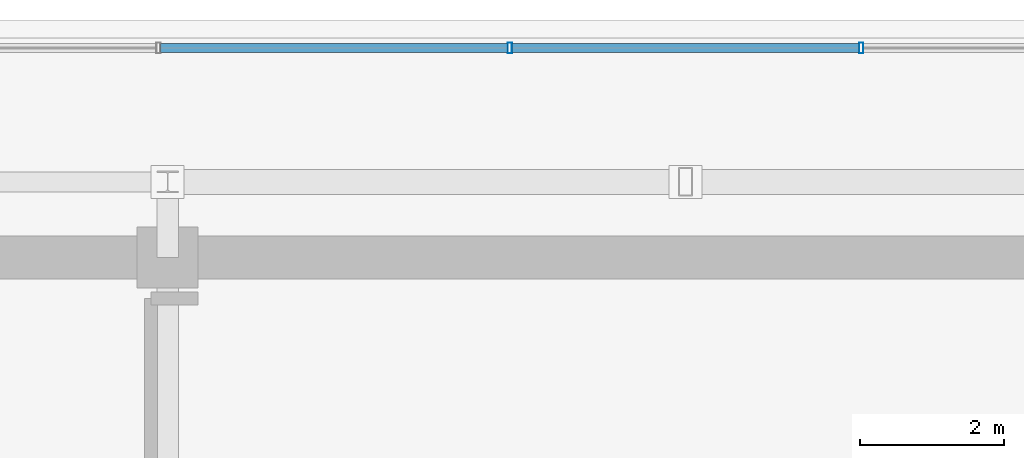
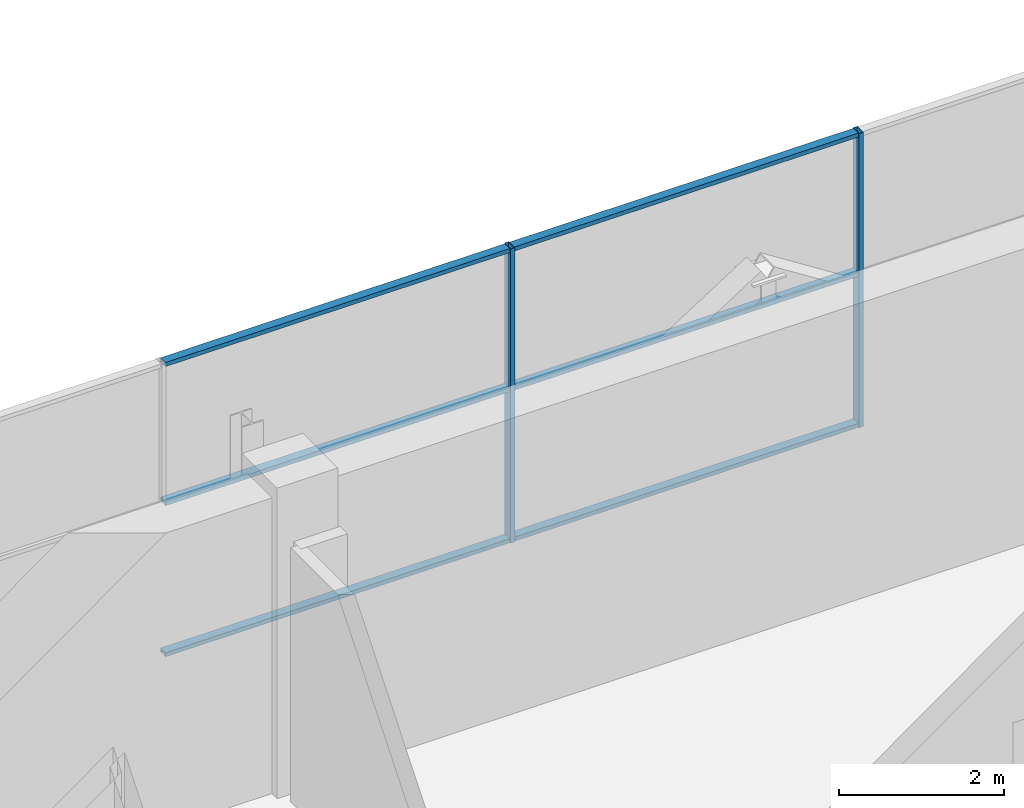
# One storey, part 20 of 28: 8 members, 1 element without a shape of its own.
"""IFC4 building model written with IfcOpenShell, lengths in metres."""

from ifc_helpers import new_model, si_unit, direction, frame, origin, origin_2d, place, context, subcontext, project, spatial, hollow_rectangle, extrude, source, transform, mapped, material, layer, layer_set, material_profile, profile_set, type_object, element, aggregate, save


model = new_model("IFC4")

# Units and contexts
model_context = context("Model", 3, precision=1e-05, world=origin(), true_north=direction((0.0, 1.0)))
body_context = subcontext(model_context, "Body", "Model", "MODEL_VIEW")
ifc_project = project(units=[si_unit("LENGTHUNIT", "METRE"), si_unit("AREAUNIT", "SQUARE_METRE"), si_unit("VOLUMEUNIT", "CUBIC_METRE"), si_unit("PLANEANGLEUNIT", "RADIAN"), si_unit("MASSUNIT", "GRAM", prefix="KILO")], contexts=[model_context])

# Site, building, storey
site_placement = place(None, origin())
site = spatial("IfcSite", under=ifc_project, at=site_placement, CompositionType="ELEMENT")
building_placement = place(site_placement, origin())
building = spatial("IfcBuilding", under=site, at=building_placement, Name="Zarnakvel Exchange Tower", CompositionType="ELEMENT")
storey_placement = place(building_placement, frame((0.0, 0.0, 276.199951171875)))
storey = spatial("IfcBuildingStorey", under=building, at=storey_placement, Name="Crown L78", CompositionType="ELEMENT", Elevation=276.199951171875)

# Curtain wall, members
ifc_material = material(Name="Architectural Bronze Anodised Aluminium", Category="aluminium")
ifc_layer = layer(ifc_material, 0.14990234375)
ifc_layer_set = layer_set([ifc_layer], Name="Architectural Bronze Anodised Aluminium")
curtain_wall_type = type_object("IfcCurtainWallType", Name="CW-07", PredefinedType="NOTDEFINED", material=ifc_layer_set)
curtain_wall_placement = place(storey_placement, origin())
curtain_wall = element("IfcCurtainWall", 1, at=curtain_wall_placement, inside=storey, type_object=curtain_wall_type, Name="Crown L78 Curtain Wall CW-Crown L78-N (CW-07)", PredefinedType="NOTDEFINED")
ifc_material_profile_1 = material_profile(ifc_material, hollow_rectangle(XDim=0.14990234375, YDim=0.06005859375, WallThickness=0.00390625, at=origin_2d()))
ifc_profile_set_1 = profile_set([ifc_material_profile_1], Name="Architectural Bronze Anodised Aluminium")
member_type_1 = type_object("IfcMemberType", Name="CWM-07", PredefinedType="MULLION", material=ifc_profile_set_1)
shared_shape_1 = source(origin(), body_context, "Body", "SweptSolid", [
    extrude(hollow_rectangle(XDim=0.14990234375, YDim=0.06005859375, WallThickness=0.00390625, at=origin_2d()), origin(), (0.0, 0.0, 1.0), 4.360107421875),
])
member_1_placement = place(storey_placement, frame((-2.44287109375, 16.409912109375, 0.0), z_axis=(0.0, 0.0, 1.0), x_axis=(0.0, 1.0, 0.0)))
member_1 = element("IfcMember", 2, at=member_1_placement, type_object=member_type_1, Name="CW-07 mullion 4", PredefinedType="MULLION", context=body_context, shape_type="MappedRepresentation", body=[
    mapped(shared_shape_1, transform((0.0, 0.0, 0.0), x_axis=(1.0, 0.0, 0.0), y_axis=(0.0, 1.0, 0.0), z_axis=(0.0, 0.0, 1.0), scale=1.0)),
])
member_2_placement = place(storey_placement, frame((2.44287109375, 16.409912109375, 0.0), z_axis=(0.0, 0.0, 1.0), x_axis=(0.0, 1.0, 0.0)))
member_2 = element("IfcMember", 3, at=member_2_placement, type_object=member_type_1, Name="CW-07 mullion 5", PredefinedType="MULLION", context=body_context, shape_type="MappedRepresentation", body=[
    mapped(shared_shape_1, transform((0.0, 0.0, 0.0), x_axis=(1.0, 0.0, 0.0), y_axis=(0.0, 1.0, 0.0), z_axis=(0.0, 0.0, 1.0), scale=1.0)),
])
ifc_material_profile_2 = material_profile(ifc_material, hollow_rectangle(XDim=0.1201171875, YDim=0.06005859375, WallThickness=0.00390625, at=origin_2d()))
ifc_profile_set_2 = profile_set([ifc_material_profile_2], Name="Architectural Bronze Anodised Aluminium")
member_type_2 = type_object("IfcMemberType", Name="CWT-07", PredefinedType="USERDEFINED", material=ifc_profile_set_2)
shared_shape_2 = source(origin(), body_context, "Body", "SweptSolid", [
    extrude(hollow_rectangle(XDim=0.1201171875, YDim=0.06005859375, WallThickness=0.00390625, at=origin_2d()), origin(), (0.0, 0.0, 1.0), 4.82568359375),
])
member_3_placement = place(storey_placement, frame((-7.298583984375, 16.409912109375, 0.030029296875), z_axis=(1.0, 0.0, 0.0), x_axis=(0.0, 1.0, 0.0)))
member_3 = element("IfcMember", 4, at=member_3_placement, type_object=member_type_2, Name="CW-07 transom 3.1", ObjectType="TRANSOM", PredefinedType="USERDEFINED", context=body_context, shape_type="MappedRepresentation", body=[
    mapped(shared_shape_2, transform((0.0, 0.0, 0.0), x_axis=(1.0, 0.0, 0.0), y_axis=(0.0, 1.0, 0.0), z_axis=(0.0, 0.0, 1.0), scale=1.0)),
])
member_4_placement = place(storey_placement, frame((-7.298583984375, 16.409912109375, 2.267333984375), z_axis=(1.0, 0.0, 0.0), x_axis=(0.0, 1.0, 0.0)))
member_4 = element("IfcMember", 5, at=member_4_placement, type_object=member_type_2, Name="CW-07 transom 3.2", ObjectType="TRANSOM", PredefinedType="USERDEFINED", context=body_context, shape_type="MappedRepresentation", body=[
    mapped(shared_shape_2, transform((0.0, 0.0, 0.0), x_axis=(1.0, 0.0, 0.0), y_axis=(0.0, 1.0, 0.0), z_axis=(0.0, 0.0, 1.0), scale=1.0)),
])
member_5_placement = place(storey_placement, frame((-7.298583984375, 16.409912109375, 4.330078125), z_axis=(1.0, 0.0, 0.0), x_axis=(0.0, 1.0, 0.0)))
member_5 = element("IfcMember", 6, at=member_5_placement, type_object=member_type_2, Name="CW-07 transom 3.3", ObjectType="TRANSOM", PredefinedType="USERDEFINED", context=body_context, shape_type="MappedRepresentation", body=[
    mapped(shared_shape_2, transform((0.0, 0.0, 0.0), x_axis=(1.0, 0.0, 0.0), y_axis=(0.0, 1.0, 0.0), z_axis=(0.0, 0.0, 1.0), scale=1.0)),
])
member_6_placement = place(storey_placement, frame((-2.412841796875, 16.409912109375, 0.030029296875), z_axis=(1.0, 0.0, 0.0), x_axis=(0.0, 1.0, 0.0)))
member_6 = element("IfcMember", 7, at=member_6_placement, type_object=member_type_2, Name="CW-07 transom 4.1", ObjectType="TRANSOM", PredefinedType="USERDEFINED", context=body_context, shape_type="MappedRepresentation", body=[
    mapped(shared_shape_2, transform((0.0, 0.0, 0.0), x_axis=(1.0, 0.0, 0.0), y_axis=(0.0, 1.0, 0.0), z_axis=(0.0, 0.0, 1.0), scale=1.0)),
])
member_7_placement = place(storey_placement, frame((-2.412841796875, 16.409912109375, 2.267333984375), z_axis=(1.0, 0.0, 0.0), x_axis=(0.0, 1.0, 0.0)))
member_7 = element("IfcMember", 8, at=member_7_placement, type_object=member_type_2, Name="CW-07 transom 4.2", ObjectType="TRANSOM", PredefinedType="USERDEFINED", context=body_context, shape_type="MappedRepresentation", body=[
    mapped(shared_shape_2, transform((0.0, 0.0, 0.0), x_axis=(1.0, 0.0, 0.0), y_axis=(0.0, 1.0, 0.0), z_axis=(0.0, 0.0, 1.0), scale=1.0)),
])
member_8_placement = place(storey_placement, frame((-2.412841796875, 16.409912109375, 4.330078125), z_axis=(1.0, 0.0, 0.0), x_axis=(0.0, 1.0, 0.0)))
member_8 = element("IfcMember", 9, at=member_8_placement, type_object=member_type_2, Name="CW-07 transom 4.3", ObjectType="TRANSOM", PredefinedType="USERDEFINED", context=body_context, shape_type="MappedRepresentation", body=[
    mapped(shared_shape_2, transform((0.0, 0.0, 0.0), x_axis=(1.0, 0.0, 0.0), y_axis=(0.0, 1.0, 0.0), z_axis=(0.0, 0.0, 1.0), scale=1.0)),
])
aggregate(curtain_wall, [member_1, member_2, member_3, member_4, member_5, member_6, member_7, member_8])

save(model, "model.ifc")
